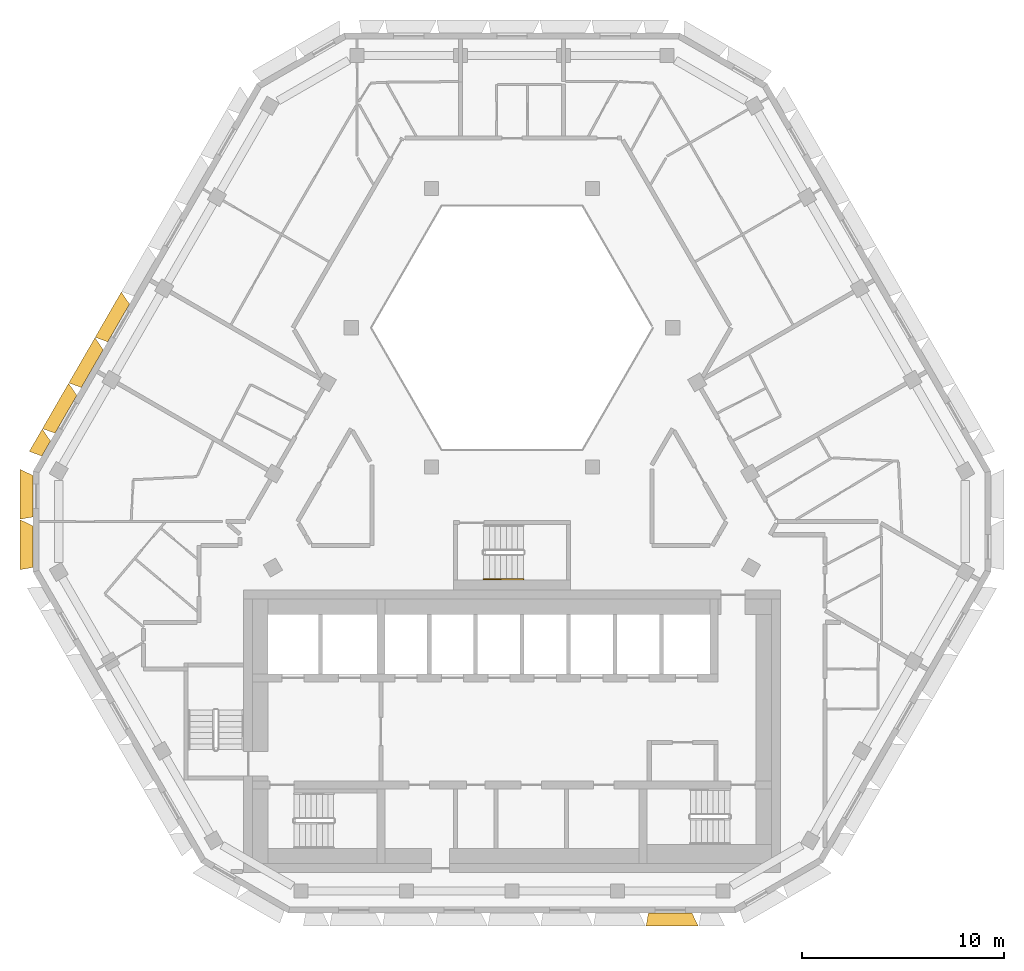
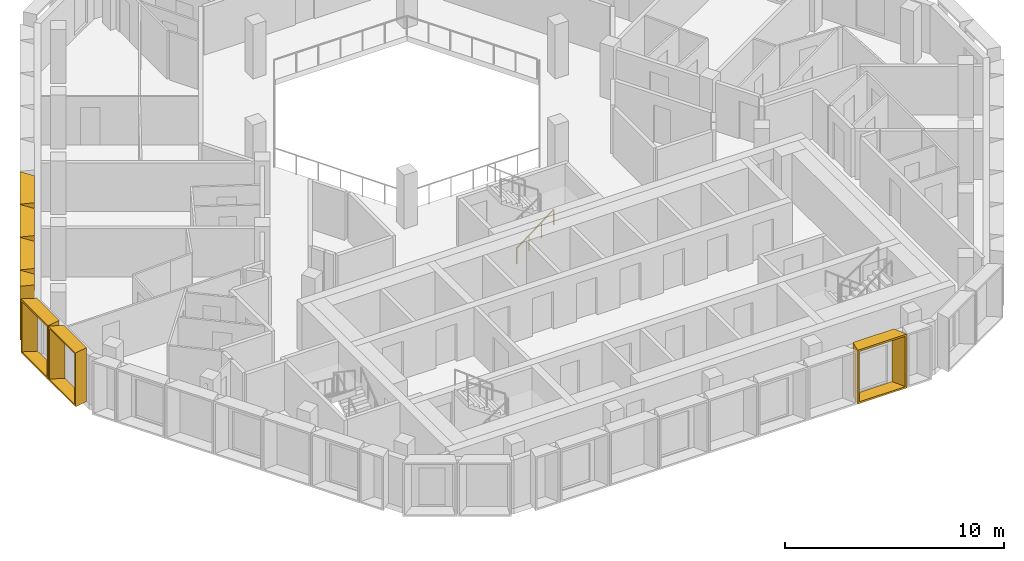
# One storey, part 12 of 15: 7 shading devices, 1 railing.
"""IFC4 building model written with IfcOpenShell, lengths in metres."""

from ifc_helpers import new_model, entity, si_unit, direction, frame, origin, origin_2d, place, context, subcontext, project, spatial, rectangle, extrude, source, transform, mapped, material, type_object, type_shapes, element, save


model = new_model("IFC4")

# Units and contexts
model_context = context("Model", 3, precision=1e-05, world=origin(), true_north=direction((0.0, 1.0)))
body_context = subcontext(model_context, "Body", "Model", "MODEL_VIEW")
ifc_project = project(units=[si_unit("LENGTHUNIT", "METRE"), si_unit("AREAUNIT", "SQUARE_METRE"), si_unit("VOLUMEUNIT", "CUBIC_METRE"), si_unit("PLANEANGLEUNIT", "RADIAN"), si_unit("MASSUNIT", "GRAM", prefix="KILO")], contexts=[model_context])

# Site, building, storey
site_placement = place(None, origin())
site = spatial("IfcSite", under=ifc_project, at=site_placement, CompositionType="ELEMENT")
building_placement = place(site_placement, origin())
building = spatial("IfcBuilding", under=site, at=building_placement, Name="Beryl Residences", CompositionType="ELEMENT")
storey_placement = place(building_placement, frame((0.0, 0.0, 217.800048828125)))
storey = spatial("IfcBuildingStorey", under=building, at=storey_placement, Name="L67", CompositionType="ELEMENT", Elevation=217.800048828125)

# Shading devices
ifc_material_1 = material(Name="Aluminium pale anodised", Category="aluminium")
shading_device_type_1 = type_object("IfcShadingDeviceType", Name="FR131-65B OUTER SKIN frame 650 mm deep, splay 26/10 deg, 1310 x 3000 mm cell", PredefinedType="USERDEFINED", material=ifc_material_1)
cartesian_point_1 = entity("IfcCartesianPoint", [-0.428955078125, 0.0])
cartesian_point_2 = entity("IfcCartesianPoint", [-0.340087890625, 0.10009765625])
cartesian_point_3 = entity("IfcCartesianPoint", [-0.74609375, 0.0])
cartesian_point_4 = entity("IfcCartesianPoint", [-0.656982421875, 0.10009765625])
shared_shape_1 = source(origin(), body_context, "Body", "SweptSolid", [
    entity("IfcExtrudedAreaSolidTapered", entity("IfcArbitraryProfileDefWithVoids", "AREA", None, entity("IfcPolyline", [cartesian_point_1, entity("IfcCartesianPoint", [0.428955078125, 0.0]), entity("IfcCartesianPoint", [0.428955078125, 3.0]), entity("IfcCartesianPoint", [-0.428955078125, 3.0]), cartesian_point_1]), [entity("IfcPolyline", [cartesian_point_2, entity("IfcCartesianPoint", [0.34765625, 0.10009765625]), entity("IfcCartesianPoint", [0.34765625, 2.89990234375]), entity("IfcCartesianPoint", [-0.340087890625, 2.89990234375]), cartesian_point_2])]), entity("IfcAxis2Placement3D", entity("IfcCartesianPoint", [0.0, 0.0, 0.0]), entity("IfcDirection", [0.0, 1.0, 0.0]), entity("IfcDirection", [-1.0, 0.0, 0.0])), entity("IfcDirection", [0.0, 0.0, 1.0]), 0.64990234375, entity("IfcArbitraryProfileDefWithVoids", "AREA", None, entity("IfcPolyline", [cartesian_point_3, entity("IfcCartesianPoint", [0.543701171875, 0.0]), entity("IfcCartesianPoint", [0.543701171875, 3.0]), entity("IfcCartesianPoint", [-0.74609375, 3.0]), cartesian_point_3]), [entity("IfcPolyline", [cartesian_point_4, entity("IfcCartesianPoint", [0.46240234375, 0.10009765625]), entity("IfcCartesianPoint", [0.46240234375, 2.89990234375]), entity("IfcCartesianPoint", [-0.656982421875, 2.89990234375]), cartesian_point_4])])),
])
type_shapes(shading_device_type_1, [shared_shape_1])
shading_device_1_placement = place(storey_placement, frame((-23.083984375, 2.01611328125, 0.0), z_axis=(0.0, 0.0, 1.0), x_axis=(0.5, 0.866025403784, 0.0)))
element("IfcShadingDevice", 1, at=shading_device_1_placement, inside=storey, type_object=shading_device_type_1, Name="FR131-65B frame L67 NW 9", ObjectType="OUTER SKIN", PredefinedType="USERDEFINED", context=body_context, shape_type="MappedRepresentation", body=[
    mapped(shared_shape_1, transform((0.0, 0.0, 0.0))),
])
ifc_material_2 = material(Name="Aluminium pale anodised", Category="aluminium")
shading_device_type_2 = type_object("IfcShadingDeviceType", Name="FR250-65B OUTER SKIN frame 650 mm deep, splay 26/10 deg, 2500 x 3000 mm cell", PredefinedType="USERDEFINED", material=ifc_material_2)
cartesian_point_5 = entity("IfcCartesianPoint", [-1.02392578125, 0.0])
cartesian_point_6 = entity("IfcCartesianPoint", [-0.93505859375, 0.10009765625])
cartesian_point_7 = entity("IfcCartesianPoint", [-1.341064453125, 0.0])
cartesian_point_8 = entity("IfcCartesianPoint", [-1.251953125, 0.10009765625])
shared_shape_2 = source(origin(), body_context, "Body", "SweptSolid", [
    entity("IfcExtrudedAreaSolidTapered", entity("IfcArbitraryProfileDefWithVoids", "AREA", None, entity("IfcPolyline", [cartesian_point_5, entity("IfcCartesianPoint", [1.02392578125, 0.0]), entity("IfcCartesianPoint", [1.02392578125, 3.0]), entity("IfcCartesianPoint", [-1.02392578125, 3.0]), cartesian_point_5]), [entity("IfcPolyline", [cartesian_point_6, entity("IfcCartesianPoint", [0.94287109375, 0.10009765625]), entity("IfcCartesianPoint", [0.94287109375, 2.89990234375]), entity("IfcCartesianPoint", [-0.93505859375, 2.89990234375]), cartesian_point_6])]), entity("IfcAxis2Placement3D", entity("IfcCartesianPoint", [0.0, 0.0, 0.0]), entity("IfcDirection", [0.0, 1.0, 0.0]), entity("IfcDirection", [-1.0, 0.0, 0.0])), entity("IfcDirection", [0.0, 0.0, 1.0]), 0.64990234375, entity("IfcArbitraryProfileDefWithVoids", "AREA", None, entity("IfcPolyline", [cartesian_point_7, entity("IfcCartesianPoint", [1.138671875, 0.0]), entity("IfcCartesianPoint", [1.138671875, 3.0]), entity("IfcCartesianPoint", [-1.341064453125, 3.0]), cartesian_point_7]), [entity("IfcPolyline", [cartesian_point_8, entity("IfcCartesianPoint", [1.057373046875, 0.10009765625]), entity("IfcCartesianPoint", [1.057373046875, 2.89990234375]), entity("IfcCartesianPoint", [-1.251953125, 2.89990234375]), cartesian_point_8])])),
])
type_shapes(shading_device_type_2, [shared_shape_2])
for number, where, z_axis, x_axis, name in (
    (2, (-23.72900390625, -0.35009765625, 0.0), (0.0, 0.0, 1.0), (0.0, 1.0, 0.0), "FR250-65B frame L67 NW-SW 1"),
    (3, (-23.72900390625, -2.85009765625, 0.0), (0.0, 0.0, 1.0), (0.0, 1.0, 0.0), "FR250-65B frame L67 NW-SW 2"),
):
    element("IfcShadingDevice", number, at=place(storey_placement, frame(where, z_axis=z_axis, x_axis=x_axis)), inside=storey, type_object=shading_device_type_2, Name=name, ObjectType="OUTER SKIN", PredefinedType="USERDEFINED", context=body_context, shape_type="MappedRepresentation", body=[
        mapped(shared_shape_2, transform((0.0, 0.0, 0.0))),
    ])
ifc_material_3 = material(Name="Aluminium pale anodised", Category="aluminium")
shading_device_type_3 = type_object("IfcShadingDeviceType", Name="FR261-65B OUTER SKIN frame 650 mm deep, splay 26/10 deg, 2610 x 3000 mm cell", PredefinedType="USERDEFINED", material=ifc_material_3)
cartesian_point_9 = entity("IfcCartesianPoint", [-1.0791015625, 0.0])
cartesian_point_10 = entity("IfcCartesianPoint", [-0.989990234375, 0.10009765625])
cartesian_point_11 = entity("IfcCartesianPoint", [-1.39599609375, 0.0])
cartesian_point_12 = entity("IfcCartesianPoint", [-1.30712890625, 0.10009765625])
shared_shape_3 = source(origin(), body_context, "Body", "SweptSolid", [
    entity("IfcExtrudedAreaSolidTapered", entity("IfcArbitraryProfileDefWithVoids", "AREA", None, entity("IfcPolyline", [cartesian_point_9, entity("IfcCartesianPoint", [1.0791015625, 0.0]), entity("IfcCartesianPoint", [1.0791015625, 3.0]), entity("IfcCartesianPoint", [-1.0791015625, 3.0]), cartesian_point_9]), [entity("IfcPolyline", [cartesian_point_10, entity("IfcCartesianPoint", [0.997802734375, 0.10009765625]), entity("IfcCartesianPoint", [0.997802734375, 2.89990234375]), entity("IfcCartesianPoint", [-0.989990234375, 2.89990234375]), cartesian_point_10])]), entity("IfcAxis2Placement3D", entity("IfcCartesianPoint", [0.0, 0.0, 0.0]), entity("IfcDirection", [0.0, 1.0, 0.0]), entity("IfcDirection", [-1.0, 0.0, 0.0])), entity("IfcDirection", [0.0, 0.0, 1.0]), 0.64990234375, entity("IfcArbitraryProfileDefWithVoids", "AREA", None, entity("IfcPolyline", [cartesian_point_11, entity("IfcCartesianPoint", [1.193603515625, 0.0]), entity("IfcCartesianPoint", [1.193603515625, 3.0]), entity("IfcCartesianPoint", [-1.39599609375, 3.0]), cartesian_point_11]), [entity("IfcPolyline", [cartesian_point_12, entity("IfcCartesianPoint", [1.1123046875, 0.10009765625]), entity("IfcCartesianPoint", [1.1123046875, 2.89990234375]), entity("IfcCartesianPoint", [-1.30712890625, 2.89990234375]), cartesian_point_12])])),
])
type_shapes(shading_device_type_3, [shared_shape_3])
for number, where, z_axis, x_axis, name in (
    (4, (-19.491943359375, 8.237060546875, 0.0), (0.0, 0.0, 1.0), (0.5, 0.866025403784, 0.0), "FR261-65B frame L67 NW 6"),
    (5, (-20.798095703125, 5.97509765625, 0.0), (0.0, 0.0, 1.0), (0.5, 0.866025403784, 0.0), "FR261-65B frame L67 NW 7"),
    (6, (-22.10498046875, 3.7119140625, 0.0), (0.0, 0.0, 1.0), (0.5, 0.866025403784, 0.0), "FR261-65B frame L67 NW 8"),
):
    element("IfcShadingDevice", number, at=place(storey_placement, frame(where, z_axis=z_axis, x_axis=x_axis)), inside=storey, type_object=shading_device_type_3, Name=name, ObjectType="OUTER SKIN", PredefinedType="USERDEFINED", context=body_context, shape_type="MappedRepresentation", body=[
        mapped(shared_shape_3, transform((0.0, 0.0, 0.0))),
    ])
ifc_material_4 = material(Name="Aluminium pale anodised", Category="aluminium")
shading_device_type_4 = type_object("IfcShadingDeviceType", Name="FR261-65C OUTER SKIN frame 650 mm deep, splay 10/26 deg, 2610 x 3000 mm cell", PredefinedType="USERDEFINED", material=ifc_material_4)
cartesian_point_13 = entity("IfcCartesianPoint", [-1.0791015625, 0.0])
cartesian_point_14 = entity("IfcCartesianPoint", [-0.997802734375, 0.10009765625])
cartesian_point_15 = entity("IfcCartesianPoint", [-1.193603515625, 0.0])
cartesian_point_16 = entity("IfcCartesianPoint", [-1.1123046875, 0.10009765625])
shared_shape_4 = source(origin(), body_context, "Body", "SweptSolid", [
    entity("IfcExtrudedAreaSolidTapered", entity("IfcArbitraryProfileDefWithVoids", "AREA", None, entity("IfcPolyline", [cartesian_point_13, entity("IfcCartesianPoint", [1.0791015625, 0.0]), entity("IfcCartesianPoint", [1.0791015625, 3.0]), entity("IfcCartesianPoint", [-1.0791015625, 3.0]), cartesian_point_13]), [entity("IfcPolyline", [cartesian_point_14, entity("IfcCartesianPoint", [0.989990234375, 0.10009765625]), entity("IfcCartesianPoint", [0.989990234375, 2.89990234375]), entity("IfcCartesianPoint", [-0.997802734375, 2.89990234375]), cartesian_point_14])]), entity("IfcAxis2Placement3D", entity("IfcCartesianPoint", [0.0, 0.0, 0.0]), entity("IfcDirection", [0.0, 1.0, 0.0]), entity("IfcDirection", [-1.0, 0.0, 0.0])), entity("IfcDirection", [0.0, 0.0, 1.0]), 0.64990234375, entity("IfcArbitraryProfileDefWithVoids", "AREA", None, entity("IfcPolyline", [cartesian_point_15, entity("IfcCartesianPoint", [1.39599609375, 0.0]), entity("IfcCartesianPoint", [1.39599609375, 3.0]), entity("IfcCartesianPoint", [-1.193603515625, 3.0]), cartesian_point_15]), [entity("IfcPolyline", [cartesian_point_16, entity("IfcCartesianPoint", [1.30712890625, 0.10009765625]), entity("IfcCartesianPoint", [1.30712890625, 2.89990234375]), entity("IfcCartesianPoint", [-1.1123046875, 2.89990234375]), cartesian_point_16])])),
])
type_shapes(shading_device_type_4, [shared_shape_4])
shading_device_2_placement = place(storey_placement, frame((7.8369140625, -21.0, 0.0), z_axis=(0.0, 0.0, 1.0), x_axis=(-1.0, 0.0, 0.0)))
element("IfcShadingDevice", 7, at=shading_device_2_placement, inside=storey, type_object=shading_device_type_4, Name="FR261-65C frame L67 S 8", ObjectType="OUTER SKIN", PredefinedType="USERDEFINED", context=body_context, shape_type="MappedRepresentation", body=[
    mapped(shared_shape_4, transform((0.0, 0.0, 0.0))),
])

# Railing
ifc_material_5 = material(Name="Stainless steel handrail", Category="steel")
railing_type = type_object("IfcRailingType", Name="SRL1 stair handrail 900 mm", PredefinedType="HANDRAIL", material=ifc_material_5)
railing_placement = place(storey_placement, frame((-1.39990234375, -4.449951171875, 0.1875)))
element("IfcRailing", 8, at=railing_placement, inside=storey, type_object=railing_type, Name="L67 ST-4 stair handrail 1", PredefinedType="HANDRAIL", context=body_context, shape_type="SweptSolid", body=[
    extrude(rectangle(XDim=0.048095703125, YDim=0.048095703125, at=origin_2d()), frame((0.0, 0.0, 0.8759765625), z_axis=(0.794121922505, 0.0, 0.607758481798), x_axis=(0.0, 1.0, 0.0)), (0.0, 0.0, 1.0), 2.468017578125),
    extrude(rectangle(XDim=0.0419921875, YDim=0.0419921875, at=origin_2d()), origin(), (0.0, 0.0, 1.0), 0.851806640625),
    extrude(rectangle(XDim=0.0419921875, YDim=0.0419921875, at=origin_2d()), frame((0.6533203125, 0.0, 0.5)), (0.0, 0.0, 1.0), 0.851806640625),
    extrude(rectangle(XDim=0.0419921875, YDim=0.0419921875, at=origin_2d()), frame((1.306640625, 0.0, 1.0)), (0.0, 0.0, 1.0), 0.851806640625),
    extrude(rectangle(XDim=0.0419921875, YDim=0.0419921875, at=origin_2d()), frame((1.9599609375, 0.0, 1.5)), (0.0, 0.0, 1.0), 0.851806640625),
])

save(model, "model.ifc")
